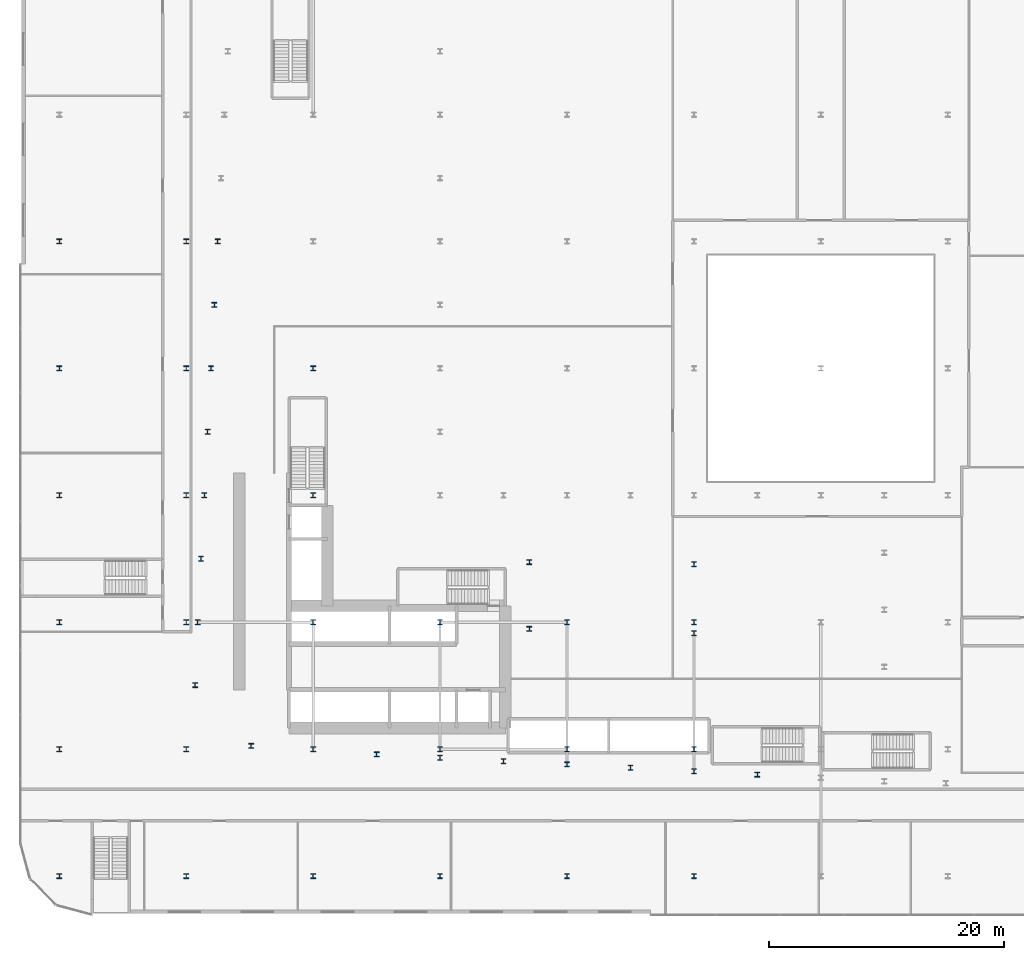
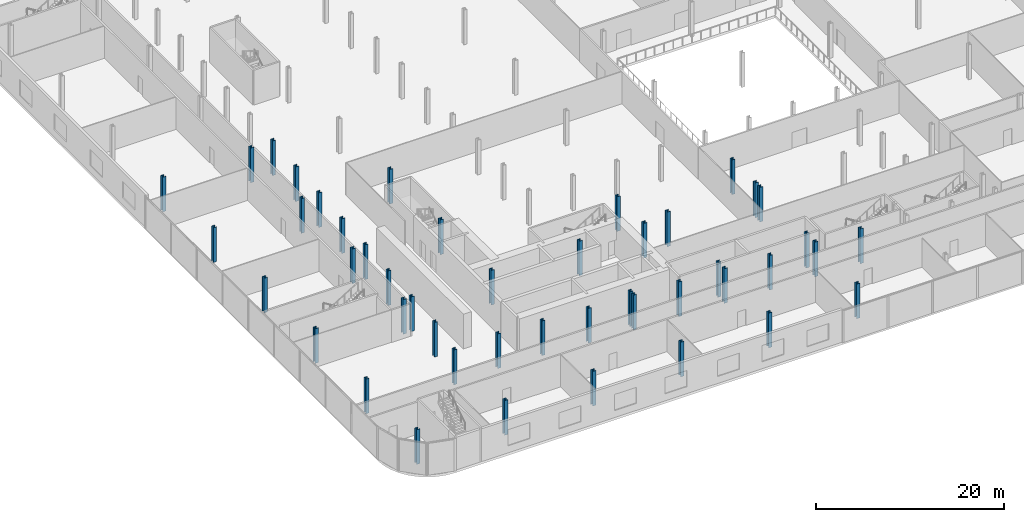
# One storey, part 1 of 47: 46 columns.
"""IFC4 building model written with IfcOpenShell, lengths in metres."""

from ifc_helpers import new_model, si_unit, direction, frame, origin, origin_2d, place, context, subcontext, project, spatial, i_section, extrude, material, material_profile, profile_set, type_object, element, save


model = new_model("IFC4")

# Units and contexts
model_context = context("Model", 3, precision=1e-05, world=origin(), true_north=direction((0.0, 1.0)))
body_context = subcontext(model_context, "Body", "Model", "MODEL_VIEW")
ifc_project = project(units=[si_unit("LENGTHUNIT", "METRE"), si_unit("AREAUNIT", "SQUARE_METRE"), si_unit("VOLUMEUNIT", "CUBIC_METRE"), si_unit("PLANEANGLEUNIT", "RADIAN"), si_unit("MASSUNIT", "GRAM", prefix="KILO")], contexts=[model_context])

# Site, building, storey
site_placement = place(None, origin())
site = spatial("IfcSite", under=ifc_project, at=site_placement, CompositionType="ELEMENT")
building_placement = place(site_placement, origin())
building = spatial("IfcBuilding", under=site, at=building_placement, Name="Kheshtan School and Residences Tower", CompositionType="ELEMENT")
storey_placement = place(building_placement, frame((0.0, 0.0, 17.0)))
storey = spatial("IfcBuildingStorey", under=building, at=storey_placement, Name="L03", CompositionType="ELEMENT", Elevation=17.0)

# Columns
ifc_material = material(Name="Steel ASTM A992 Grade 50", Category="steel")
ifc_material_profile = material_profile(ifc_material, i_section(OverallWidth=0.408935546875, OverallDepth=0.425048828125, WebThickness=0.03271484375, FlangeThickness=0.052490234375, FilletRadius=0.0126953125, at=origin_2d()), Name="W360x421")
ifc_profile_set = profile_set([ifc_material_profile], Name="Steel ASTM A992 Grade 50")
column_type = type_object("IfcColumnType", Name="Column PC2 W360x421 ASTM A992 Grade 50", PredefinedType="COLUMN", material=ifc_profile_set)
for number, where, z_axis, x_axis, name in (
    (1, (15.199951171875, 13.199951171875, 0.0), (0.0, 0.0, 1.0), (1.0, 0.0, 0.0), "Column P-001"),
    (2, (26.0, 13.199951171875, 0.0), (0.0, 0.0, 1.0), (1.0, 0.0, 0.0), "Column P-002"),
    (3, (36.800048828125, 13.199951171875, 0.0), (0.0, 0.0, 1.0), (1.0, 0.0, 0.0), "Column P-003"),
    (4, (47.60009765625, 13.199951171875, 0.0), (0.0, 0.0, 1.0), (1.0, 0.0, 0.0), "Column P-004"),
    (5, (58.39990234375, 13.199951171875, 0.0), (0.0, 0.0, 1.0), (1.0, 0.0, 0.0), "Column P-005"),
    (6, (69.199951171875, 13.199951171875, 0.0), (0.0, 0.0, 1.0), (1.0, 0.0, 0.0), "Column P-006"),
    (7, (15.199951171875, 24.0, 0.0), (0.0, 0.0, 1.0), (1.0, 0.0, 0.0), "Column P-013"),
    (8, (26.0, 24.0, 0.0), (0.0, 0.0, 1.0), (1.0, 0.0, 0.0), "Column P-014"),
    (9, (36.800048828125, 24.0, 0.0), (0.0, 0.0, 1.0), (1.0, 0.0, 0.0), "Column P-015"),
    (10, (47.60009765625, 24.0, 0.0), (0.0, 0.0, 1.0), (1.0, 0.0, 0.0), "Column P-016"),
    (11, (58.39990234375, 24.0, 0.0), (0.0, 0.0, 1.0), (1.0, 0.0, 0.0), "Column P-017"),
    (12, (69.199951171875, 24.0, 0.0), (0.0, 0.0, 1.0), (1.0, 0.0, 0.0), "Column P-018"),
    (13, (15.199951171875, 34.800048828125, 0.0), (0.0, 0.0, 1.0), (1.0, 0.0, 0.0), "Column P-025"),
    (14, (26.0, 34.800048828125, 0.0), (0.0, 0.0, 1.0), (1.0, 0.0, 0.0), "Column P-026"),
    (15, (36.800048828125, 34.800048828125, 0.0), (0.0, 0.0, 1.0), (1.0, 0.0, 0.0), "Column P-027"),
    (16, (47.60009765625, 34.800048828125, 0.0), (0.0, 0.0, 1.0), (1.0, 0.0, 0.0), "Column P-028"),
    (17, (58.39990234375, 34.800048828125, 0.0), (0.0, 0.0, 1.0), (1.0, 0.0, 0.0), "Column P-029"),
    (18, (69.199951171875, 34.800048828125, 0.0), (0.0, 0.0, 1.0), (1.0, 0.0, 0.0), "Column P-030"),
    (19, (15.199951171875, 45.60009765625, 0.0), (0.0, 0.0, 1.0), (1.0, 0.0, 0.0), "Column P-037"),
    (20, (26.0, 45.60009765625, 0.0), (0.0, 0.0, 1.0), (1.0, 0.0, 0.0), "Column P-038"),
    (21, (36.800048828125, 45.60009765625, 0.0), (0.0, 0.0, 1.0), (1.0, 0.0, 0.0), "Column P-039"),
    (22, (15.199951171875, 56.39990234375, 0.0), (0.0, 0.0, 1.0), (1.0, 0.0, 0.0), "Column P-049"),
    (23, (26.0, 56.39990234375, 0.0), (0.0, 0.0, 1.0), (1.0, 0.0, 0.0), "Column P-050"),
    (24, (36.800048828125, 56.39990234375, 0.0), (0.0, 0.0, 1.0), (1.0, 0.0, 0.0), "Column P-051"),
    (25, (15.199951171875, 67.199951171875, 0.0), (0.0, 0.0, 1.0), (1.0, 0.0, 0.0), "Column P-061"),
    (26, (26.0, 67.199951171875, 0.0), (0.0, 0.0, 1.0), (1.0, 0.0, 0.0), "Column P-062"),
    (27, (74.60009765625, 21.840087890625, 0.0), (0.0, 0.0, 1.0), (1.0, 0.0, 0.0), "Transfer column X04"),
    (28, (69.199951171875, 22.1298828125, 0.0), (0.0, 0.0, 1.0), (1.0, 0.0, 0.0), "Transfer column X05"),
    (29, (63.800048828125, 22.409912109375, 0.0), (0.0, 0.0, 1.0), (1.0, 0.0, 0.0), "Transfer column X06"),
    (30, (58.39990234375, 22.699951171875, 0.0), (0.0, 0.0, 1.0), (1.0, 0.0, 0.0), "Transfer column X07"),
    (31, (53.0, 22.97998046875, 0.0), (0.0, 0.0, 1.0), (1.0, 0.0, 0.0), "Transfer column X08"),
    (32, (47.60009765625, 23.260009765625, 0.0), (0.0, 0.0, 1.0), (1.0, 0.0, 0.0), "Transfer column X09"),
    (33, (42.199951171875, 23.550048828125, 0.0), (0.0, 0.0, 1.0), (1.0, 0.0, 0.0), "Transfer column X10"),
    (34, (31.52001953125, 24.27001953125, 0.0), (0.0, 0.0, 1.0), (1.0, 0.0, 0.0), "Transfer column X11"),
    (35, (26.760009765625, 29.4599609375, 0.0), (0.0, 0.0, 1.0), (1.0, 0.0, 0.0), "Transfer column X12"),
    (36, (26.969970703125, 34.800048828125, 0.0), (0.0, 0.0, 1.0), (1.0, 0.0, 0.0), "Transfer column X13"),
    (37, (27.25, 40.199951171875, 0.0), (0.0, 0.0, 1.0), (1.0, 0.0, 0.0), "Transfer column X14"),
    (38, (27.5400390625, 45.60009765625, 0.0), (0.0, 0.0, 1.0), (1.0, 0.0, 0.0), "Transfer column X15"),
    (39, (27.820068359375, 51.0, 0.0), (0.0, 0.0, 1.0), (1.0, 0.0, 0.0), "Transfer column X20"),
    (40, (28.110107421875, 56.39990234375, 0.0), (0.0, 0.0, 1.0), (1.0, 0.0, 0.0), "Transfer column X22"),
    (41, (28.389892578125, 61.800048828125, 0.0), (0.0, 0.0, 1.0), (1.0, 0.0, 0.0), "Transfer column X23"),
    (42, (28.669921875, 67.199951171875, 0.0), (0.0, 0.0, 1.0), (1.0, 0.0, 0.0), "Transfer column X25"),
    (43, (69.199951171875, 33.860107421875, 0.0), (0.0, 0.0, 1.0), (1.0, 0.0, 0.0), "Transfer column X36"),
    (44, (55.199951171875, 34.22998046875, 0.0), (0.0, 0.0, 1.0), (1.0, 0.0, 0.0), "Transfer column X37"),
    (45, (69.199951171875, 39.72998046875, 0.0), (0.0, 0.0, 1.0), (1.0, 0.0, 0.0), "Transfer column X39"),
    (46, (55.199951171875, 39.919921875, 0.0), (0.0, 0.0, 1.0), (1.0, 0.0, 0.0), "Transfer column X40"),
):
    element("IfcColumn", number, at=place(storey_placement, frame(where, z_axis=z_axis, x_axis=x_axis)), inside=storey, type_object=column_type, Name=name, PredefinedType="COLUMN", context=body_context, shape_type="SweptSolid", body=[
        extrude(i_section(OverallWidth=0.408935546875, OverallDepth=0.425048828125, WebThickness=0.03271484375, FlangeThickness=0.052490234375, FilletRadius=0.0126953125, at=origin_2d()), origin(), (0.0, 0.0, 1.0), 4.5),
    ])

save(model, "model.ifc")
